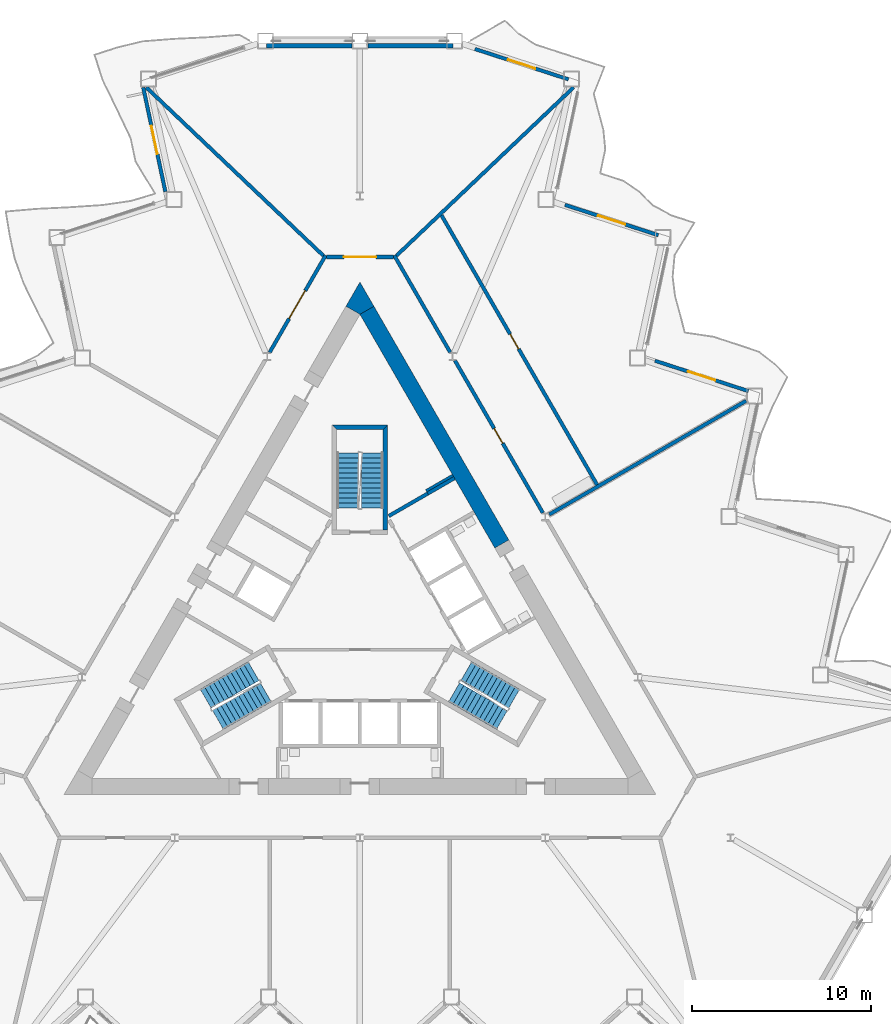
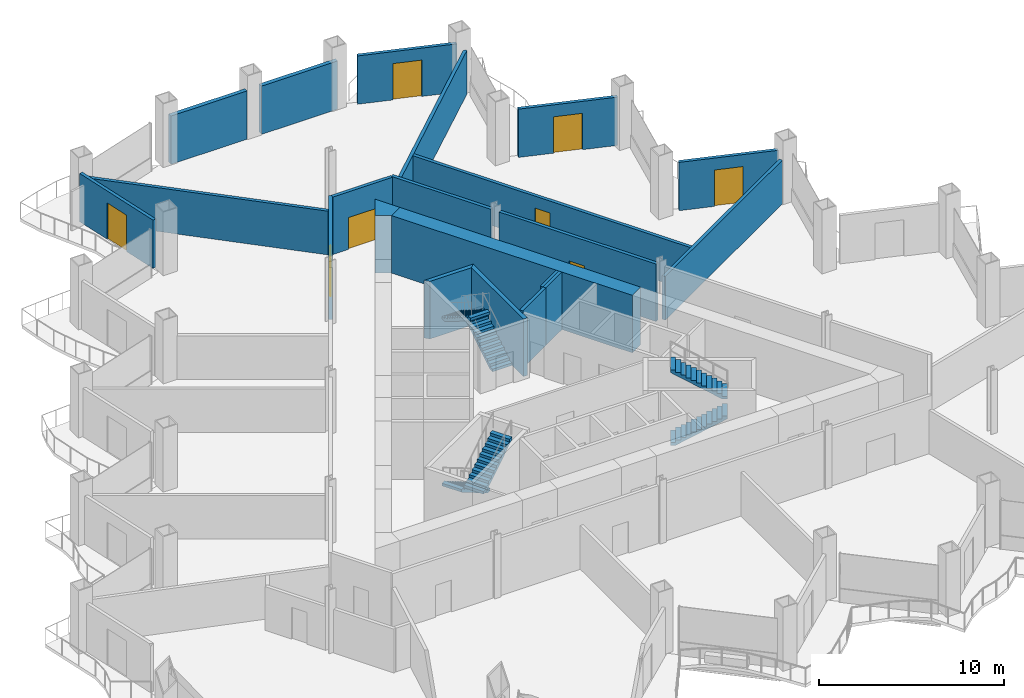
# One storey, part 13 of 21: 21 walls, 8 doors, 6 stair flights, 8 openings, 3 elements without a shape of their own.
"""IFC4 building model written with IfcOpenShell, lengths in metres."""

from ifc_helpers import new_model, si_unit, direction, frame, frame_2d, origin, place, context, subcontext, project, spatial, polyline, rectangle, outline, extrude, material, layer, layer_set, type_object, element, fill, aggregate, save


model = new_model("IFC4")

# Units and contexts
model_context = context("Model", 3, precision=1e-05, world=origin(), true_north=direction((0.0, 1.0)))
body_context = subcontext(model_context, "Body", "Model", "MODEL_VIEW")
ifc_project = project(units=[si_unit("LENGTHUNIT", "METRE"), si_unit("AREAUNIT", "SQUARE_METRE"), si_unit("VOLUMEUNIT", "CUBIC_METRE"), si_unit("PLANEANGLEUNIT", "RADIAN"), si_unit("MASSUNIT", "GRAM", prefix="KILO")], contexts=[model_context])

# Site, building, storey
site_placement = place(None, origin())
site = spatial("IfcSite", under=ifc_project, at=site_placement, CompositionType="ELEMENT")
building_placement = place(site_placement, origin())
building = spatial("IfcBuilding", under=site, at=building_placement, Name="Cormorant Prow Tower", CompositionType="ELEMENT")
storey_placement = place(building_placement, frame((0.0, 0.0, 120.60009765625)))
storey = spatial("IfcBuildingStorey", under=building, at=storey_placement, Name="L25", CompositionType="ELEMENT", Elevation=120.60009765625)

# Walls
ifc_material_1 = material(Name="Gypsum board partition")
ifc_layer_1 = layer(ifc_material_1, 0.14990234375)
ifc_layer_set_1 = layer_set([ifc_layer_1], Name="Gypsum board partition")
wall_type_1 = type_object("IfcWallType", Name="Core partition 150", PredefinedType="PARTITIONING", material=ifc_layer_set_1)
wall_1_placement = place(storey_placement, frame((3.693359375, 7.4150390625, 0.0), z_axis=(0.0, 0.0, 1.0), x_axis=(0.866024871741, 0.500000921525, 0.0)))
element("IfcWall", 1, at=wall_1_placement, inside=storey, type_object=wall_type_1, Name="Service room partition", PredefinedType="PARTITIONING", context=body_context, shape_type="SweptSolid", body=[
    extrude(rectangle(XDim=1.72021484375, YDim=0.14990234375, at=frame_2d((0.860107421875, 0.0))), origin(), (0.0, 0.0, 1.0), 3.7998046875),
])
ifc_material_2 = material(Name="Concrete 8000 psi", Category="concrete")
ifc_layer_2 = layer(ifc_material_2, 0.89990234375)
ifc_layer_set_2 = layer_set([ifc_layer_2], Name="Concrete 8000 psi")
wall_type_2 = type_object("IfcWallType", Name="Core shear wall 900", PredefinedType="SHEAR", material=ifc_layer_set_2)
wall_2_placement = place(storey_placement, frame((7.910400390625, 4.451416015625, 0.0), z_axis=(0.0, 0.0, 1.0), x_axis=(-0.500005799286, 0.866022055539, 0.0)))
element("IfcWall", 2, at=wall_2_placement, inside=storey, type_object=wall_type_2, Name="Core wall", PredefinedType="SHEAR", context=body_context, shape_type="SweptSolid", body=[
    extrude(rectangle(XDim=15.041259765625, YDim=0.89990234375, at=frame_2d((7.5205078125, 0.0))), origin(), (0.0, 0.0, 1.0), 3.7998046875),
])
wall_3_placement = place(storey_placement, origin())
element("IfcWall", 3, at=wall_3_placement, inside=storey, type_object=wall_type_2, Name="Core wall corner", PredefinedType="SHEAR", context=body_context, shape_type="SweptSolid", body=[
    extrude(outline(polyline([(-0.779296875, 17.70263671875), (0.0, 19.052490234375), (0.779296875, 17.70263671875), (0.0, 17.252685546875), (-0.779296875, 17.70263671875)])), origin(), (0.0, 0.0, 1.0), 3.7998046875),
])

# Wall, opening, door
ifc_material_3 = material(Name="Gypsum board corridor wall")
ifc_layer_3 = layer(ifc_material_3, 0.199951171875)
ifc_layer_set_3 = layer_set([ifc_layer_3], Name="Gypsum board corridor wall")
wall_type_3 = type_object("IfcWallType", Name="Corridor wall 200", PredefinedType="PARTITIONING", material=ifc_layer_set_3)
wall_4_placement = place(storey_placement, frame((5.29541015625, 14.680419921875, 0.0), z_axis=(0.0, 0.0, 1.0), x_axis=(0.500012035596, -0.866018454918, 0.0)))
wall_4 = element("IfcWall", 4, at=wall_4_placement, inside=storey, type_object=wall_type_3, Name="Corridor wall", PredefinedType="PARTITIONING", context=body_context, shape_type="SweptSolid", body=[
    extrude(rectangle(XDim=9.803466796875, YDim=0.199951171875, at=frame_2d((4.90185546875, 0.0))), origin(), (0.0, 0.0, 1.0), 3.7998046875),
])
opening_1_placement = place(wall_4_placement, frame((4.376220703125, 0.0, 0.0)))
opening_1 = element("IfcOpeningElement", 5, at=opening_1_placement, cuts=wall_4, Name="Opening L25-F06", PredefinedType="OPENING", context=body_context, shape_type="SweptSolid", body=[
    extrude(rectangle(XDim=0.949951171875, YDim=2.10009765625, at=frame_2d((0.47509765625, 1.050048828125))), frame((0.0, 0.10986328125, 0.0), z_axis=(0.0, -1.0, 0.0), x_axis=(1.0, 0.0, 0.0)), (0.0, 0.0, 1.0), 0.219970703125),
])
ifc_material_4 = material(Name="Timber door leaf", Category="wood")
door_type_1 = type_object("IfcDoorType", Name="Store door 950x2100", OperationType="NOTDEFINED", PredefinedType="DOOR", material=ifc_material_4)
door_1_placement = place(opening_1_placement, origin())
door_1 = element("IfcDoor", 6, at=door_1_placement, inside=storey, type_object=door_type_1, Name="Tea point and pantry door", OperationType="SINGLE_SWING_LEFT", OverallHeight=2.10009765625, OverallWidth=0.949951171875, PredefinedType="DOOR", context=body_context, shape_type="SweptSolid", body=[
    extrude(rectangle(XDim=0.949951171875, YDim=2.10009765625, at=frame_2d((0.47509765625, 1.050048828125))), frame((0.0, 0.02490234375, 0.0), z_axis=(0.0, -1.0, 0.0), x_axis=(1.0, 0.0, 0.0)), (0.0, 0.0, 1.0), 0.050048828125),
])
fill(opening_1, door_1)

wall_5_placement = place(storey_placement, frame((-5.032958984375, 15.13525390625, 0.0), z_axis=(0.0, 0.0, 1.0), x_axis=(0.499980978912, 0.866036385336, 0.0)))
wall_5 = element("IfcWall", 7, at=wall_5_placement, inside=storey, type_object=wall_type_3, Name="Corridor wall", PredefinedType="PARTITIONING", context=body_context, shape_type="SweptSolid", body=[
    extrude(rectangle(XDim=6.239990234375, YDim=0.199951171875, at=frame_2d((3.1201171875, 0.0))), origin(), (0.0, 0.0, 1.0), 3.7998046875),
])
opening_2_placement = place(wall_5_placement, frame((2.16943359375, 0.0, 0.0)))
opening_2 = element("IfcOpeningElement", 8, at=opening_2_placement, cuts=wall_5, Name="Opening L25-F09", PredefinedType="OPENING", context=body_context, shape_type="SweptSolid", body=[
    extrude(rectangle(XDim=1.800048828125, YDim=2.10009765625, at=frame_2d((0.89990234375, 1.050048828125))), frame((0.0, 0.10986328125, 0.0), z_axis=(0.0, -1.0, 0.0), x_axis=(1.0, 0.0, 0.0)), (0.0, 0.0, 1.0), 0.219970703125),
])
ifc_material_5 = material(Name="Timber door leaf", Category="wood")
door_type_2 = type_object("IfcDoorType", Name="Double door 1800x2100", OperationType="DOUBLE_DOOR_SINGLE_SWING", PredefinedType="DOOR", material=ifc_material_5)
door_2_placement = place(opening_2_placement, origin())
door_2 = element("IfcDoor", 9, at=door_2_placement, inside=storey, type_object=door_type_2, Name="Open-plan office door", OperationType="DOUBLE_DOOR_SINGLE_SWING", OverallHeight=2.10009765625, OverallWidth=1.800048828125, PredefinedType="DOOR", context=body_context, shape_type="SweptSolid", body=[
    extrude(rectangle(XDim=1.800048828125, YDim=2.10009765625, at=frame_2d((0.89990234375, 1.050048828125))), frame((0.0, 0.02490234375, 0.0), z_axis=(0.0, -1.0, 0.0), x_axis=(1.0, 0.0, 0.0)), (0.0, 0.0, 1.0), 0.050048828125),
])
fill(opening_2, door_2)

# Wall
wall_6_placement = place(storey_placement, frame((1.9130859375, 20.539306640625, 0.0), z_axis=(0.0, 0.0, 1.0), x_axis=(0.499980978912, -0.866036385336, 0.0)))
element("IfcWall", 10, at=wall_6_placement, inside=storey, type_object=wall_type_3, Name="Corridor wall", PredefinedType="PARTITIONING", context=body_context, shape_type="SweptSolid", body=[
    extrude(rectangle(XDim=6.239990234375, YDim=0.199951171875, at=frame_2d((3.1201171875, 0.0))), origin(), (0.0, 0.0, 1.0), 3.7998046875),
])

# Wall, opening, door
wall_7_placement = place(storey_placement, frame((-1.863037109375, 20.45263671875, 0.0), z_axis=(0.0, 0.0, 1.0), x_axis=(1.0, 0.0, 0.0)))
wall_7 = element("IfcWall", 11, at=wall_7_placement, inside=storey, type_object=wall_type_3, Name="Corridor wall", PredefinedType="PARTITIONING", context=body_context, shape_type="SweptSolid", body=[
    extrude(rectangle(XDim=3.72607421875, YDim=0.199951171875, at=frame_2d((1.863037109375, 0.0))), origin(), (0.0, 0.0, 1.0), 3.7998046875),
])
opening_3_placement = place(wall_7_placement, frame((0.962890625, 0.0, 0.0)))
opening_3 = element("IfcOpeningElement", 12, at=opening_3_placement, cuts=wall_7, Name="Opening L25-F08", PredefinedType="OPENING", context=body_context, shape_type="SweptSolid", body=[
    extrude(rectangle(XDim=1.800048828125, YDim=2.10009765625, at=frame_2d((0.89990234375, 1.050048828125))), frame((0.0, 0.10986328125, 0.0), z_axis=(0.0, -1.0, 0.0), x_axis=(1.0, 0.0, 0.0)), (0.0, 0.0, 1.0), 0.219970703125),
])
door_3_placement = place(opening_3_placement, origin())
door_3 = element("IfcDoor", 13, at=door_3_placement, inside=storey, type_object=door_type_2, Name="Open-plan office door", OperationType="DOUBLE_DOOR_SINGLE_SWING", OverallHeight=2.10009765625, OverallWidth=1.800048828125, PredefinedType="DOOR", context=body_context, shape_type="SweptSolid", body=[
    extrude(rectangle(XDim=1.800048828125, YDim=2.10009765625, at=frame_2d((0.89990234375, 1.050048828125))), frame((0.0, 0.02490234375, 0.0), z_axis=(0.0, -1.0, 0.0), x_axis=(1.0, 0.0, 0.0)), (0.0, 0.0, 1.0), 0.050048828125),
])
fill(opening_3, door_3)

ifc_material_6 = material(Name="Gypsum board demising wall")
ifc_layer_4 = layer(ifc_material_6, 0.199951171875)
ifc_layer_set_4 = layer_set([ifc_layer_4], Name="Gypsum board demising wall")
wall_type_4 = type_object("IfcWallType", Name="Demising wall 200", PredefinedType="PARTITIONING", material=ifc_layer_set_4)
wall_8_placement = place(storey_placement, frame((4.5478515625, 22.775390625, 0.0), z_axis=(0.0, 0.0, 1.0), x_axis=(0.499999764473, -0.866025539766, 0.0)))
wall_8 = element("IfcWall", 14, at=wall_8_placement, inside=storey, type_object=wall_type_4, Name="Demising wall", PredefinedType="PARTITIONING", context=body_context, shape_type="SweptSolid", body=[
    extrude(rectangle(XDim=17.35009765625, YDim=0.199951171875, at=frame_2d((8.675048828125, 0.0))), origin(), (0.0, 0.0, 1.0), 2.88525390625),
])
opening_4_placement = place(wall_8_placement, frame((7.650146484375, 0.0, 0.0)))
opening_4 = element("IfcOpeningElement", 15, at=opening_4_placement, cuts=wall_8, Name="Opening L25-F07", PredefinedType="OPENING", context=body_context, shape_type="SweptSolid", body=[
    extrude(rectangle(XDim=0.949951171875, YDim=2.10009765625, at=frame_2d((0.47509765625, 1.050048828125))), frame((0.0, 0.10986328125, 0.0), z_axis=(0.0, -1.0, 0.0), x_axis=(1.0, 0.0, 0.0)), (0.0, 0.0, 1.0), 0.219970703125),
])
door_4_placement = place(opening_4_placement, origin())
door_4 = element("IfcDoor", 16, at=door_4_placement, inside=storey, type_object=door_type_1, Name="Print and copy room door", OperationType="SINGLE_SWING_LEFT", OverallHeight=2.10009765625, OverallWidth=0.949951171875, PredefinedType="DOOR", context=body_context, shape_type="SweptSolid", body=[
    extrude(rectangle(XDim=0.949951171875, YDim=2.10009765625, at=frame_2d((0.47509765625, 1.050048828125))), frame((0.0, 0.02490234375, 0.0), z_axis=(0.0, -1.0, 0.0), x_axis=(1.0, 0.0, 0.0)), (0.0, 0.0, 1.0), 0.050048828125),
])
fill(opening_4, door_4)

# Walls
for number, where, z_axis, x_axis, name in (
    (17, (2.035400390625, 20.521484375, 0.0), (0.0, 0.0, 1.0), (0.724819524984, 0.688938789881, 0.0), "Demising wall"),
    (18, (-11.908935546875, 29.90625, 0.0), (0.0, 0.0, 1.0), (0.724819524984, -0.688938789881, 0.0), "Demising wall"),
):
    element("IfcWall", number, at=place(storey_placement, frame(where, z_axis=z_axis, x_axis=x_axis)), inside=storey, type_object=wall_type_4, Name=name, PredefinedType="PARTITIONING", context=body_context, shape_type="SweptSolid", body=[
        extrude(rectangle(XDim=13.6220703125, YDim=0.199951171875, at=frame_2d((6.81103515625, 0.0))), origin(), (0.0, 0.0, 1.0), 2.88525390625),
    ])
wall_9_placement = place(storey_placement, frame((10.555908203125, 6.094482421875, 0.0), z_axis=(0.0, 0.0, 1.0), x_axis=(0.86602461759, 0.500001361726, 0.0)))
element("IfcWall", 19, at=wall_9_placement, inside=storey, type_object=wall_type_4, Name="Demising wall", PredefinedType="PARTITIONING", context=body_context, shape_type="SweptSolid", body=[
    extrude(rectangle(XDim=12.67919921875, YDim=0.199951171875, at=frame_2d((6.339599609375, 0.0))), origin(), (0.0, 0.0, 1.0), 2.88525390625),
])
ifc_material_7 = material(Name="Concrete 8000 psi", Category="concrete")
ifc_layer_5 = layer(ifc_material_7, 0.199951171875)
ifc_layer_set_5 = layer_set([ifc_layer_5], Name="Concrete 8000 psi")
wall_type_5 = type_object("IfcWallType", Name="Lift shaft wall 200", PredefinedType="SHEAR", material=ifc_layer_set_5)
wall_10_placement = place(storey_placement, origin())
element("IfcWall", 20, at=wall_10_placement, inside=storey, type_object=wall_type_5, Name="Lift shaft walls, ENE block", PredefinedType="SHEAR", context=body_context, shape_type="SweptSolid", body=[
    extrude(outline(polyline([(1.560546875, 6.09716796875), (3.730712890625, 7.35009765625), (3.830810546875, 7.177001953125), (1.660400390625, 5.923828125), (1.560546875, 6.09716796875)])), origin(), (0.0, 0.0, 1.0), 3.7998046875),
])
wall_11_placement = place(storey_placement, frame((3.78076171875, 7.263427734375, 0.0), z_axis=(0.0, 0.0, 1.0), x_axis=(0.865963414263, 0.500107353632, 0.0)))
element("IfcWall", 21, at=wall_11_placement, inside=storey, type_object=wall_type_5, Name="Store side wall", PredefinedType="SHEAR", context=body_context, shape_type="SweptSolid", body=[
    extrude(rectangle(XDim=1.72021484375, YDim=0.199951171875, at=frame_2d((0.860107421875, 0.0))), origin(), (0.0, 0.0, 1.0), 3.7998046875),
])
ifc_material_8 = material(Name="Concrete 8000 psi", Category="concrete")
ifc_layer_6 = layer(ifc_material_8, 0.25)
ifc_layer_set_6 = layer_set([ifc_layer_6], Name="Concrete 8000 psi")
wall_type_6 = type_object("IfcWallType", Name="Stair wall 250", PredefinedType="SHEAR", material=ifc_layer_set_6)
wall_12_placement = place(storey_placement, origin())
element("IfcWall", 22, at=wall_12_placement, inside=storey, type_object=wall_type_6, Name="Stair ST3 enclosure wall (flank)", PredefinedType="SHEAR", context=body_context, shape_type="SweptSolid", body=[
    extrude(outline(polyline([(1.5439453125, 5.23681640625), (1.5439453125, 11.0869140625), (1.2939453125, 10.8369140625), (1.2939453125, 5.23681640625), (1.5439453125, 5.23681640625)])), origin(), (0.0, 0.0, 1.0), 3.7998046875),
])
wall_13_placement = place(storey_placement, origin())
element("IfcWall", 23, at=wall_13_placement, inside=storey, type_object=wall_type_6, Name="Stair ST3 enclosure wall (end)", PredefinedType="SHEAR", context=body_context, shape_type="SweptSolid", body=[
    extrude(outline(polyline([(1.5439453125, 11.0869140625), (-1.5439453125, 11.0869140625), (-1.2939453125, 10.8369140625), (1.2939453125, 10.8369140625), (1.5439453125, 11.0869140625)])), origin(), (0.0, 0.0, 1.0), 3.7998046875),
])
ifc_material_9 = material(Name="Terracotta", Category="masonry")
ifc_layer_7 = layer(ifc_material_9, 0.25)
ifc_layer_set_7 = layer_set([ifc_layer_7], Name="Terracotta")
wall_type_7 = type_object("IfcWallType", Name="Terracotta bay wall 250", PredefinedType="SOLIDWALL", material=ifc_layer_set_7)
for number, where, z_axis, x_axis, name in (
    (24, (5.20068359375, 32.216552734375, 0.0), (0.0, 0.0, 1.0), (-1.0, 0.0, 0.0), "Terracotta bay wall N00"),
    (25, (-0.449951171875, 32.216552734375, 0.0), (0.0, 0.0, 1.0), (-1.0, 0.0, 0.0), "Terracotta bay wall N01"),
):
    element("IfcWall", number, at=place(storey_placement, frame(where, z_axis=z_axis, x_axis=x_axis)), inside=storey, type_object=wall_type_7, Name=name, PredefinedType="SOLIDWALL", context=body_context, shape_type="SweptSolid", body=[
        extrude(rectangle(XDim=4.750732421875, YDim=0.25, at=frame_2d((2.37548828125, 0.0))), origin(), (0.0, 0.0, 1.0), 3.188720703125),
    ])

# Wall, opening, door
ifc_material_10 = material(Name="Terracotta", Category="masonry")
ifc_layer_8 = layer(ifc_material_10, 0.199951171875)
ifc_layer_set_8 = layer_set([ifc_layer_8], Name="Terracotta")
wall_type_8 = type_object("IfcWallType", Name="Terracotta jamb wall 200", PredefinedType="SOLIDWALL", material=ifc_layer_set_8)
wall_14_placement = place(storey_placement, frame((21.658935546875, 12.973388671875, 0.0), z_axis=(0.0, 0.0, 1.0), x_axis=(-0.951065819309, 0.308988361175, 0.0)))
wall_14 = element("IfcWall", 26, at=wall_14_placement, inside=storey, type_object=wall_type_8, Name="Terracotta jamb wall ENE05", PredefinedType="SOLIDWALL", context=body_context, shape_type="SweptSolid", body=[
    extrude(rectangle(XDim=5.480224609375, YDim=0.199951171875, at=frame_2d((2.740234375, 0.0))), origin(), (0.0, 0.0, 1.0), 3.188720703125),
])
opening_5_placement = place(wall_14_placement, frame((1.940185546875, 0.0, 0.0)))
opening_5 = element("IfcOpeningElement", 27, at=opening_5_placement, cuts=wall_14, Name="Opening ED25.08", PredefinedType="OPENING", context=body_context, shape_type="SweptSolid", body=[
    extrude(rectangle(XDim=1.60009765625, YDim=2.39990234375, at=frame_2d((0.800048828125, 1.199951171875))), frame((0.0, 0.10986328125, 0.0), z_axis=(0.0, -1.0, 0.0), x_axis=(1.0, 0.0, 0.0)), (0.0, 0.0, 1.0), 0.219970703125),
])
ifc_material_11 = material(Name="Aluminium 6063-T6", Category="aluminium")
door_type_3 = type_object("IfcDoorType", Name="Balcony door 1600x2400", OperationType="DOUBLE_DOOR_SINGLE_SWING", PredefinedType="DOOR", material=ifc_material_11)
door_5_placement = place(opening_5_placement, origin())
door_5 = element("IfcDoor", 28, at=door_5_placement, inside=storey, type_object=door_type_3, Name="Balcony door ENE05 ED25.08", OperationType="DOUBLE_DOOR_SINGLE_SWING", OverallHeight=2.39990234375, OverallWidth=1.60009765625, PredefinedType="DOOR", context=body_context, shape_type="SweptSolid", body=[
    extrude(rectangle(XDim=1.60009765625, YDim=2.39990234375, at=frame_2d((0.800048828125, 1.199951171875))), frame((0.0, 0.02490234375, 0.0), z_axis=(0.0, -1.0, 0.0), x_axis=(1.0, 0.0, 0.0)), (0.0, 0.0, 1.0), 0.050048828125),
])
fill(opening_5, door_5)

wall_15_placement = place(storey_placement, frame((16.640869140625, 21.664794921875, 0.0), z_axis=(0.0, 0.0, 1.0), x_axis=(-0.951052727247, 0.309028655624, 0.0)))
wall_15 = element("IfcWall", 29, at=wall_15_placement, inside=storey, type_object=wall_type_8, Name="Terracotta jamb wall ENE07", PredefinedType="SOLIDWALL", context=body_context, shape_type="SweptSolid", body=[
    extrude(rectangle(XDim=5.48046875, YDim=0.199951171875, at=frame_2d((2.740234375, 0.0))), origin(), (0.0, 0.0, 1.0), 3.188720703125),
])
opening_6_placement = place(wall_15_placement, frame((1.940185546875, 0.0, 0.0)))
opening_6 = element("IfcOpeningElement", 30, at=opening_6_placement, cuts=wall_15, Name="Opening ED25.09", PredefinedType="OPENING", context=body_context, shape_type="SweptSolid", body=[
    extrude(rectangle(XDim=1.60009765625, YDim=2.39990234375, at=frame_2d((0.800048828125, 1.199951171875))), frame((0.0, 0.10986328125, 0.0), z_axis=(0.0, -1.0, 0.0), x_axis=(1.0, 0.0, 0.0)), (0.0, 0.0, 1.0), 0.219970703125),
])
door_6_placement = place(opening_6_placement, origin())
door_6 = element("IfcDoor", 31, at=door_6_placement, inside=storey, type_object=door_type_3, Name="Balcony door ENE07 ED25.09", OperationType="DOUBLE_DOOR_SINGLE_SWING", OverallHeight=2.39990234375, OverallWidth=1.60009765625, PredefinedType="DOOR", context=body_context, shape_type="SweptSolid", body=[
    extrude(rectangle(XDim=1.60009765625, YDim=2.39990234375, at=frame_2d((0.800048828125, 1.199951171875))), frame((0.0, 0.02490234375, 0.0), z_axis=(0.0, -1.0, 0.0), x_axis=(1.0, 0.0, 0.0)), (0.0, 0.0, 1.0), 0.050048828125),
])
fill(opening_6, door_6)

wall_16_placement = place(storey_placement, frame((11.622802734375, 30.356201171875, 0.0), z_axis=(0.0, 0.0, 1.0), x_axis=(-0.951052727247, 0.309028655624, 0.0)))
wall_16 = element("IfcWall", 32, at=wall_16_placement, inside=storey, type_object=wall_type_8, Name="Terracotta jamb wall ENE09", PredefinedType="SOLIDWALL", context=body_context, shape_type="SweptSolid", body=[
    extrude(rectangle(XDim=5.48046875, YDim=0.199951171875, at=frame_2d((2.740234375, 0.0))), origin(), (0.0, 0.0, 1.0), 3.188720703125),
])
opening_7_placement = place(wall_16_placement, frame((1.940185546875, 0.0, 0.0)))
opening_7 = element("IfcOpeningElement", 33, at=opening_7_placement, cuts=wall_16, Name="Opening ED25.10", PredefinedType="OPENING", context=body_context, shape_type="SweptSolid", body=[
    extrude(rectangle(XDim=1.60009765625, YDim=2.39990234375, at=frame_2d((0.800048828125, 1.199951171875))), frame((0.0, 0.10986328125, 0.0), z_axis=(0.0, -1.0, 0.0), x_axis=(1.0, 0.0, 0.0)), (0.0, 0.0, 1.0), 0.219970703125),
])
door_7_placement = place(opening_7_placement, origin())
door_7 = element("IfcDoor", 34, at=door_7_placement, inside=storey, type_object=door_type_3, Name="Balcony door ENE09 ED25.10", OperationType="DOUBLE_DOOR_SINGLE_SWING", OverallHeight=2.39990234375, OverallWidth=1.60009765625, PredefinedType="DOOR", context=body_context, shape_type="SweptSolid", body=[
    extrude(rectangle(XDim=1.60009765625, YDim=2.39990234375, at=frame_2d((0.800048828125, 1.199951171875))), frame((0.0, 0.02490234375, 0.0), z_axis=(0.0, -1.0, 0.0), x_axis=(1.0, 0.0, 0.0)), (0.0, 0.0, 1.0), 0.050048828125),
])
fill(opening_7, door_7)

wall_17_placement = place(storey_placement, frame((-12.080810546875, 29.899658203125, 0.0), z_axis=(0.0, 0.0, 1.0), x_axis=(0.207890739357, -0.97815205387, 0.0)))
wall_17 = element("IfcWall", 35, at=wall_17_placement, inside=storey, type_object=wall_type_8, Name="Terracotta jamb wall WNW01", PredefinedType="SOLIDWALL", context=body_context, shape_type="SweptSolid", body=[
    extrude(rectangle(XDim=5.93408203125, YDim=0.199951171875, at=frame_2d((2.967041015625, 0.0))), origin(), (0.0, 0.0, 1.0), 3.188720703125),
])
opening_8_placement = place(wall_17_placement, frame((2.19189453125, 0.0, 0.0)))
opening_8 = element("IfcOpeningElement", 36, at=opening_8_placement, cuts=wall_17, Name="Opening ED25.11", PredefinedType="OPENING", context=body_context, shape_type="SweptSolid", body=[
    extrude(rectangle(XDim=1.60009765625, YDim=2.39990234375, at=frame_2d((0.800048828125, 1.199951171875))), frame((0.0, 0.10986328125, 0.0), z_axis=(0.0, -1.0, 0.0), x_axis=(1.0, 0.0, 0.0)), (0.0, 0.0, 1.0), 0.219970703125),
])
door_8_placement = place(opening_8_placement, origin())
door_8 = element("IfcDoor", 37, at=door_8_placement, inside=storey, type_object=door_type_3, Name="Balcony door WNW01 ED25.11", OperationType="DOUBLE_DOOR_SINGLE_SWING", OverallHeight=2.39990234375, OverallWidth=1.60009765625, PredefinedType="DOOR", context=body_context, shape_type="SweptSolid", body=[
    extrude(rectangle(XDim=1.60009765625, YDim=2.39990234375, at=frame_2d((0.800048828125, 1.199951171875))), frame((0.0, 0.02490234375, 0.0), z_axis=(0.0, -1.0, 0.0), x_axis=(1.0, 0.0, 0.0)), (0.0, 0.0, 1.0), 0.050048828125),
])
fill(opening_8, door_8)

# Stair, stair flights
ifc_material_12 = material(Name="Exit stair 24 risers")
stair_type = type_object("IfcStairType", Name="Exit stair 24 risers", PredefinedType="HALF_TURN_STAIR", material=ifc_material_12)
stair_1_placement = place(storey_placement, origin())
stair_1 = element("IfcStair", 38, at=stair_1_placement, inside=storey, type_object=stair_type, Name="L25 Exit stair ST1", PredefinedType="HALF_TURN_STAIR")
ifc_material_13 = material(Name="Concrete 5000 psi", Category="concrete")
stair_flight_type = type_object("IfcStairFlightType", Name="Stair flight 1219", PredefinedType="STRAIGHT", material=ifc_material_13)
stair_flight_1_placement = place(storey_placement, frame((-5.93310546875, -2.635009765625, 0.0), z_axis=(0.0, 0.0, 1.0), x_axis=(-0.866025403784, -0.5, 0.0)))
stair_flight_1 = element("IfcStairFlight", 39, at=stair_flight_1_placement, type_object=stair_flight_type, Name="ST1 flight 1", NumberOfRisers=12, NumberOfTreads=11, PredefinedType="STRAIGHT", RiserHeight=0.175, TreadLength=0.28, context=body_context, shape_type="SweptSolid", body=[
    extrude(outline(polyline([(0.0, 0.0), (0.0, 0.175048828125), (0.280029296875, 0.175048828125), (0.280029296875, 0.35009765625), (0.56005859375, 0.35009765625), (0.56005859375, 0.52490234375), (0.840087890625, 0.52490234375), (0.840087890625, 0.699951171875), (1.1201171875, 0.699951171875), (1.1201171875, 0.875), (1.39990234375, 0.875), (1.39990234375, 1.050048828125), (1.679931640625, 1.050048828125), (1.679931640625, 1.22509765625), (1.9599609375, 1.22509765625), (1.9599609375, 1.39990234375), (2.239990234375, 1.39990234375), (2.239990234375, 1.574951171875), (2.52001953125, 1.574951171875), (2.52001953125, 1.75), (2.800048828125, 1.75), (2.800048828125, 1.925048828125), (3.080078125, 1.925048828125), (3.080078125, 2.10009765625), (3.080078125, 1.748291015625), (0.28271484375, 0.0), (0.0, 0.0)])), frame((0.0, 0.609375, 0.0), z_axis=(0.0, -1.0, 0.0), x_axis=(1.0, 0.0, 0.0)), (0.0, 0.0, 1.0), 1.218994140625),
])
stair_flight_2_placement = place(storey_placement, frame((-7.916015625, -5.360595703125, 2.099853515625), z_axis=(0.0, 0.0, 1.0), x_axis=(0.866025403784, 0.5, 0.0)))
stair_flight_2 = element("IfcStairFlight", 40, at=stair_flight_2_placement, type_object=stair_flight_type, Name="ST1 flight 2", NumberOfRisers=12, NumberOfTreads=11, PredefinedType="STRAIGHT", RiserHeight=0.175, TreadLength=0.28, context=body_context, shape_type="SweptSolid", body=[
    extrude(outline(polyline([(0.0, 0.0), (0.0, 0.175048828125), (0.280029296875, 0.175048828125), (0.280029296875, 0.35009765625), (0.56005859375, 0.35009765625), (0.56005859375, 0.52490234375), (0.840087890625, 0.52490234375), (0.840087890625, 0.699951171875), (1.1201171875, 0.699951171875), (1.1201171875, 0.875), (1.39990234375, 0.875), (1.39990234375, 1.050048828125), (1.679931640625, 1.050048828125), (1.679931640625, 1.22509765625), (1.9599609375, 1.22509765625), (1.9599609375, 1.39990234375), (2.239990234375, 1.39990234375), (2.239990234375, 1.574951171875), (2.52001953125, 1.574951171875), (2.52001953125, 1.75), (2.800048828125, 1.75), (2.800048828125, 1.925048828125), (3.080078125, 1.925048828125), (3.080078125, 2.10009765625), (3.080078125, 1.748291015625), (0.28271484375, 0.0), (0.0, 0.0)])), frame((0.0, 0.609375, 0.0), z_axis=(0.0, -1.0, 0.0), x_axis=(1.0, 0.0, 0.0)), (0.0, 0.0, 1.0), 1.218994140625),
])
aggregate(stair_1, [stair_flight_1, stair_flight_2])

stair_2_placement = place(storey_placement, origin())
stair_2 = element("IfcStair", 41, at=stair_2_placement, inside=storey, type_object=stair_type, Name="L25 Exit stair ST2", PredefinedType="HALF_TURN_STAIR")
stair_flight_3_placement = place(storey_placement, frame((5.24853515625, -3.82080078125, 0.0), z_axis=(0.0, 0.0, 1.0), x_axis=(0.866025403784, -0.5, 0.0)))
stair_flight_3 = element("IfcStairFlight", 42, at=stair_flight_3_placement, type_object=stair_flight_type, Name="ST2 flight 1", NumberOfRisers=12, NumberOfTreads=11, PredefinedType="STRAIGHT", RiserHeight=0.175, TreadLength=0.28, context=body_context, shape_type="SweptSolid", body=[
    extrude(outline(polyline([(0.0, 0.0), (0.0, 0.175048828125), (0.280029296875, 0.175048828125), (0.280029296875, 0.35009765625), (0.56005859375, 0.35009765625), (0.56005859375, 0.52490234375), (0.840087890625, 0.52490234375), (0.840087890625, 0.699951171875), (1.1201171875, 0.699951171875), (1.1201171875, 0.875), (1.39990234375, 0.875), (1.39990234375, 1.050048828125), (1.679931640625, 1.050048828125), (1.679931640625, 1.22509765625), (1.9599609375, 1.22509765625), (1.9599609375, 1.39990234375), (2.239990234375, 1.39990234375), (2.239990234375, 1.574951171875), (2.52001953125, 1.574951171875), (2.52001953125, 1.75), (2.800048828125, 1.75), (2.800048828125, 1.925048828125), (3.080078125, 1.925048828125), (3.080078125, 2.10009765625), (3.080078125, 1.748291015625), (0.28271484375, 0.0), (0.0, 0.0)])), frame((0.0, 0.609375, 0.0), z_axis=(0.0, -1.0, 0.0), x_axis=(1.0, 0.0, 0.0)), (0.0, 0.0, 1.0), 1.218994140625),
])
stair_flight_4_placement = place(storey_placement, frame((8.6005859375, -4.175048828125, 2.099853515625), z_axis=(0.0, 0.0, 1.0), x_axis=(-0.866025403784, 0.5, 0.0)))
stair_flight_4 = element("IfcStairFlight", 43, at=stair_flight_4_placement, type_object=stair_flight_type, Name="ST2 flight 2", NumberOfRisers=12, NumberOfTreads=11, PredefinedType="STRAIGHT", RiserHeight=0.175, TreadLength=0.28, context=body_context, shape_type="SweptSolid", body=[
    extrude(outline(polyline([(0.0, 0.0), (0.0, 0.175048828125), (0.280029296875, 0.175048828125), (0.280029296875, 0.35009765625), (0.56005859375, 0.35009765625), (0.56005859375, 0.52490234375), (0.840087890625, 0.52490234375), (0.840087890625, 0.699951171875), (1.1201171875, 0.699951171875), (1.1201171875, 0.875), (1.39990234375, 0.875), (1.39990234375, 1.050048828125), (1.679931640625, 1.050048828125), (1.679931640625, 1.22509765625), (1.9599609375, 1.22509765625), (1.9599609375, 1.39990234375), (2.239990234375, 1.39990234375), (2.239990234375, 1.574951171875), (2.52001953125, 1.574951171875), (2.52001953125, 1.75), (2.800048828125, 1.75), (2.800048828125, 1.925048828125), (3.080078125, 1.925048828125), (3.080078125, 2.10009765625), (3.080078125, 1.748291015625), (0.28271484375, 0.0), (0.0, 0.0)])), frame((0.0, 0.609375, 0.0), z_axis=(0.0, -1.0, 0.0), x_axis=(1.0, 0.0, 0.0)), (0.0, 0.0, 1.0), 1.218994140625),
])
aggregate(stair_2, [stair_flight_3, stair_flight_4])

stair_3_placement = place(storey_placement, origin())
stair_3 = element("IfcStair", 44, at=stair_3_placement, inside=storey, type_object=stair_type, Name="L25 Exit stair ST3", PredefinedType="HALF_TURN_STAIR")
stair_flight_5_placement = place(storey_placement, frame((0.6845703125, 6.455810546875, 0.0), z_axis=(0.0, 0.0, 1.0), x_axis=(0.0, 1.0, 0.0)))
stair_flight_5 = element("IfcStairFlight", 45, at=stair_flight_5_placement, type_object=stair_flight_type, Name="ST3 flight 1", NumberOfRisers=12, NumberOfTreads=11, PredefinedType="STRAIGHT", RiserHeight=0.175, TreadLength=0.28, context=body_context, shape_type="SweptSolid", body=[
    extrude(outline(polyline([(0.0, 0.0), (0.0, 0.175048828125), (0.280029296875, 0.175048828125), (0.280029296875, 0.35009765625), (0.56005859375, 0.35009765625), (0.56005859375, 0.52490234375), (0.840087890625, 0.52490234375), (0.840087890625, 0.699951171875), (1.1201171875, 0.699951171875), (1.1201171875, 0.875), (1.39990234375, 0.875), (1.39990234375, 1.050048828125), (1.679931640625, 1.050048828125), (1.679931640625, 1.22509765625), (1.9599609375, 1.22509765625), (1.9599609375, 1.39990234375), (2.239990234375, 1.39990234375), (2.239990234375, 1.574951171875), (2.52001953125, 1.574951171875), (2.52001953125, 1.75), (2.800048828125, 1.75), (2.800048828125, 1.925048828125), (3.080078125, 1.925048828125), (3.080078125, 2.10009765625), (3.080078125, 1.748291015625), (0.28271484375, 0.0), (0.0, 0.0)])), frame((0.0, 0.609375, 0.0), z_axis=(0.0, -1.0, 0.0), x_axis=(1.0, 0.0, 0.0)), (0.0, 0.0, 1.0), 1.218994140625),
])
stair_flight_6_placement = place(storey_placement, frame((-0.6845703125, 9.535888671875, 2.099853515625), z_axis=(0.0, 0.0, 1.0), x_axis=(0.0, -1.0, 0.0)))
stair_flight_6 = element("IfcStairFlight", 46, at=stair_flight_6_placement, type_object=stair_flight_type, Name="ST3 flight 2", NumberOfRisers=12, NumberOfTreads=11, PredefinedType="STRAIGHT", RiserHeight=0.175, TreadLength=0.28, context=body_context, shape_type="SweptSolid", body=[
    extrude(outline(polyline([(0.0, 0.0), (0.0, 0.175048828125), (0.280029296875, 0.175048828125), (0.280029296875, 0.35009765625), (0.56005859375, 0.35009765625), (0.56005859375, 0.52490234375), (0.840087890625, 0.52490234375), (0.840087890625, 0.699951171875), (1.1201171875, 0.699951171875), (1.1201171875, 0.875), (1.39990234375, 0.875), (1.39990234375, 1.050048828125), (1.679931640625, 1.050048828125), (1.679931640625, 1.22509765625), (1.9599609375, 1.22509765625), (1.9599609375, 1.39990234375), (2.239990234375, 1.39990234375), (2.239990234375, 1.574951171875), (2.52001953125, 1.574951171875), (2.52001953125, 1.75), (2.800048828125, 1.75), (2.800048828125, 1.925048828125), (3.080078125, 1.925048828125), (3.080078125, 2.10009765625), (3.080078125, 1.748291015625), (0.28271484375, 0.0), (0.0, 0.0)])), frame((0.0, 0.609375, 0.0), z_axis=(0.0, -1.0, 0.0), x_axis=(1.0, 0.0, 0.0)), (0.0, 0.0, 1.0), 1.218994140625),
])
aggregate(stair_3, [stair_flight_5, stair_flight_6])

save(model, "model.ifc")
